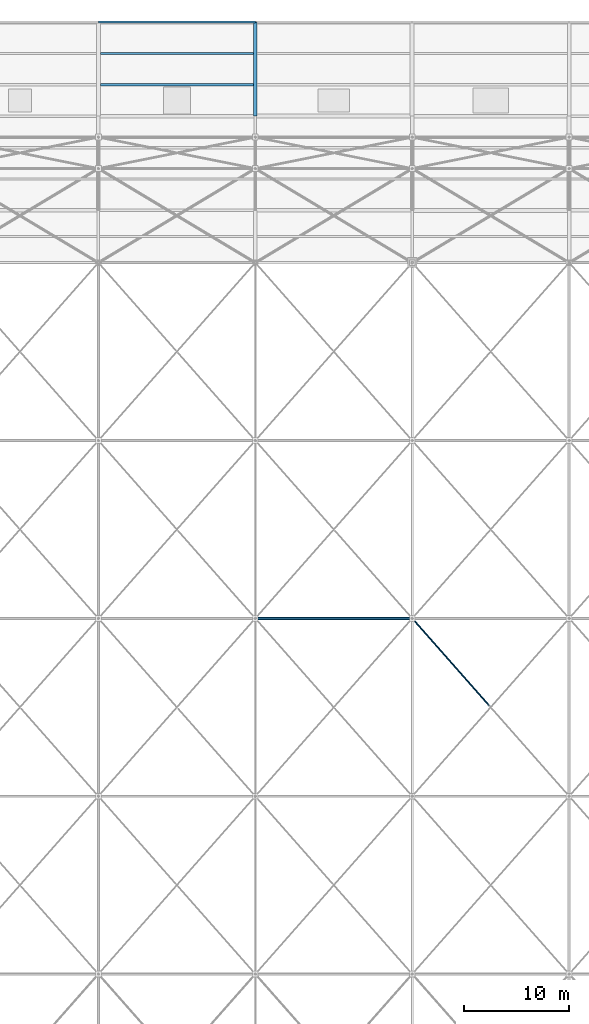
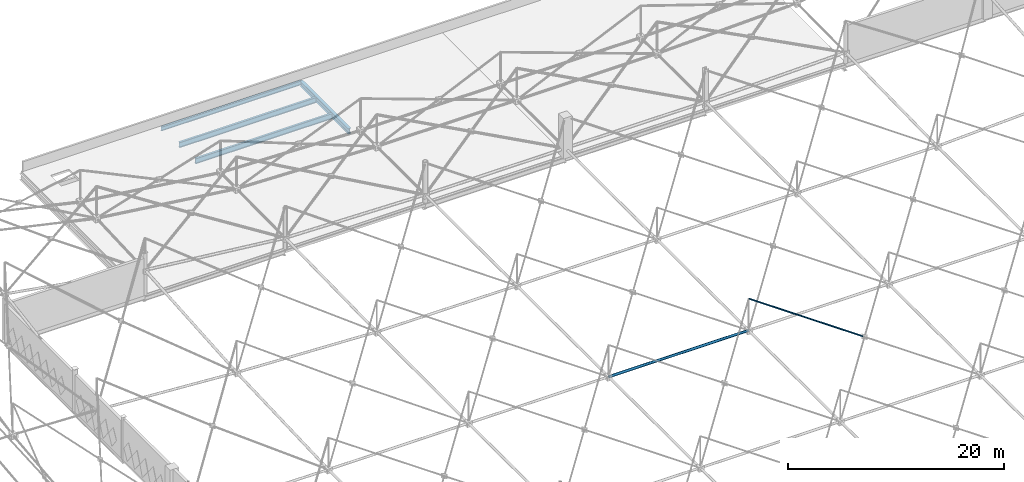
# One storey, part 94 of 224: 4 beams, 2 members.
"""IFC4 building model written with IfcOpenShell, lengths in metres."""

from ifc_helpers import new_model, si_unit, direction, frame, origin, origin_2d, place, context, subcontext, project, spatial, hollow_circle, i_section, extrude, material, material_profile, profile_set, type_object, element, save


model = new_model("IFC4")

# Units and contexts
model_context = context("Model", 3, precision=1e-05, world=origin(), true_north=direction((0.0, 1.0)))
body_context = subcontext(model_context, "Body", "Model", "MODEL_VIEW")
ifc_project = project(units=[si_unit("LENGTHUNIT", "METRE"), si_unit("AREAUNIT", "SQUARE_METRE"), si_unit("VOLUMEUNIT", "CUBIC_METRE"), si_unit("PLANEANGLEUNIT", "RADIAN"), si_unit("MASSUNIT", "GRAM", prefix="KILO")], contexts=[model_context])

# Site, building, storey
site_placement = place(None, origin())
site = spatial("IfcSite", under=ifc_project, at=site_placement, CompositionType="ELEMENT")
building_placement = place(site_placement, origin())
building = spatial("IfcBuilding", under=site, at=building_placement, Name="Qamarlyn Nura Convention Centre", CompositionType="ELEMENT")
storey_placement = place(building_placement, frame((0.0, 0.0, 10.800048828125)))
storey = spatial("IfcBuildingStorey", under=building, at=storey_placement, Name="L02", CompositionType="ELEMENT", Elevation=10.800048828125)

# Beams
ifc_material_1 = material(Name="Steel ASTM A992", Category="steel")
ifc_material_profile_1 = material_profile(ifc_material_1, i_section(OverallWidth=0.323974609375, OverallDepth=0.611083984375, WebThickness=0.0126953125, FlangeThickness=0.01904296875, FilletRadius=0.01611328125, at=origin_2d()), Name="W610X155")
ifc_profile_set_1 = profile_set([ifc_material_profile_1], Name="Steel ASTM A992")
beam_type_1 = type_object("IfcBeamType", Name="BM-GIRD-610", PredefinedType="BEAM", material=ifc_profile_set_1)
beam_1_placement = place(storey_placement, frame((45.0, 117.0, -0.50048828125), z_axis=(0.0, 1.0, 0.0), x_axis=(-1.0, 0.0, 0.0)))
element("IfcBeam", 1, at=beam_1_placement, inside=storey, type_object=beam_type_1, Name="L02 girder 4 P-Q", PredefinedType="BEAM", context=body_context, shape_type="SweptSolid", body=[
    extrude(i_section(OverallWidth=0.323974609375, OverallDepth=0.611083984375, WebThickness=0.0126953125, FlangeThickness=0.01904296875, FilletRadius=0.01611328125, at=origin_2d()), origin(), (0.0, 0.0, 1.0), 9.0),
])
ifc_material_profile_2 = material_profile(ifc_material_1, i_section(OverallWidth=0.22802734375, OverallDepth=0.60791015625, WebThickness=0.01123046875, FlangeThickness=0.017333984375, FilletRadius=0.01611328125, at=origin_2d()), Name="W610X113")
ifc_profile_set_2 = profile_set([ifc_material_profile_2], Name="Steel ASTM A992")
beam_type_2 = type_object("IfcBeamType", Name="BM-JOIST-610", PredefinedType="JOIST", material=ifc_profile_set_2)
for number, where, z_axis, x_axis, name in (
    (2, (30.1904296875, 120.0, -0.4990234375), (1.0, 0.0, 0.0), (0.0, 1.0, 0.0), "L02 composite joist 3-4/P+1"),
    (3, (30.1904296875, 123.0, -0.4990234375), (1.0, 0.0, 0.0), (0.0, 1.0, 0.0), "L02 composite joist 3-4/P+2"),
):
    element("IfcBeam", number, at=place(storey_placement, frame(where, z_axis=z_axis, x_axis=x_axis)), inside=storey, type_object=beam_type_2, Name=name, PredefinedType="JOIST", context=body_context, shape_type="SweptSolid", body=[
        extrude(i_section(OverallWidth=0.22802734375, OverallDepth=0.60791015625, WebThickness=0.01123046875, FlangeThickness=0.017333984375, FilletRadius=0.01611328125, at=origin_2d()), origin(), (0.0, 0.0, 1.0), 14.6474609375),
    ])
ifc_material_profile_3 = material_profile(ifc_material_1, i_section(OverallWidth=0.193115234375, OverallDepth=0.466064453125, WebThickness=0.011474609375, FlangeThickness=0.01904296875, FilletRadius=0.012939453125, at=origin_2d()), Name="W460X97")
ifc_profile_set_3 = profile_set([ifc_material_profile_3], Name="Steel ASTM A992")
beam_type_3 = type_object("IfcBeamType", Name="BM-SPAN-460", PredefinedType="SPANDREL", material=ifc_profile_set_3)
beam_2_placement = place(storey_placement, frame((30.0, 126.0, -0.427978515625), z_axis=(1.0, 0.0, 0.0), x_axis=(0.0, 1.0, 0.0)))
element("IfcBeam", 4, at=beam_2_placement, inside=storey, type_object=beam_type_3, Name="L02 girder Q 3-4", PredefinedType="SPANDREL", context=body_context, shape_type="SweptSolid", body=[
    extrude(i_section(OverallWidth=0.193115234375, OverallDepth=0.466064453125, WebThickness=0.011474609375, FlangeThickness=0.01904296875, FilletRadius=0.012939453125, at=origin_2d()), origin(), (0.0, 0.0, 1.0), 15.0),
])

# Members
ifc_material_2 = material(Name="Pearl-white PVDF steel ASTM A500 Grade C", Category="steel")
ifc_material_profile_4 = material_profile(ifc_material_2, hollow_circle(Radius=0.136474609375, WallThickness=0.012451171875, at=origin_2d()), Name="CHS273X12.5")
ifc_profile_set_4 = profile_set([ifc_material_profile_4], Name="Pearl-white PVDF steel ASTM A500 Grade C")
member_type_1 = type_object("IfcMemberType", Name="SF-BC-MAIN", PredefinedType="CHORD", material=ifc_profile_set_4)
member_1_placement = place(storey_placement, frame((45.0, 69.0, 0.800048828125), z_axis=(1.0, 0.0, 0.0), x_axis=(0.0, 1.0, 0.0)))
element("IfcMember", 5, at=member_1_placement, inside=storey, type_object=member_type_1, Name="ROOF TRUSS space frame bottom chord X5-5", PredefinedType="CHORD", context=body_context, shape_type="SweptSolid", body=[
    extrude(hollow_circle(Radius=0.136474609375, WallThickness=0.012451171875, at=origin_2d()), origin(), (0.0, 0.0, 1.0), 15.0),
])
ifc_material_profile_5 = material_profile(ifc_material_2, hollow_circle(Radius=0.084228515625, WallThickness=0.008056640625, at=origin_2d()), Name="CHS168.3X8")
ifc_profile_set_5 = profile_set([ifc_material_profile_5], Name="Pearl-white PVDF steel ASTM A500 Grade C")
member_type_2 = type_object("IfcMemberType", Name="SF-WEB-STD", PredefinedType="BRACE", material=ifc_profile_set_5)
member_2_placement = place(storey_placement, frame((67.408447265625, 60.603759765625, 2.6220703125), z_axis=(-0.653436826791, 0.740561737029, 0.156807611557), x_axis=(-0.749837855365, -0.661621637087, 0.0)))
element("IfcMember", 6, at=member_2_placement, inside=storey, type_object=member_type_2, Name="ROOF TRUSS space frame split diagonal B2 6-4", PredefinedType="BRACE", context=body_context, shape_type="SweptSolid", body=[
    extrude(hollow_circle(Radius=0.084228515625, WallThickness=0.008056640625, at=origin_2d()), origin(), (0.0, 0.0, 1.0), 11.337646484375),
])

save(model, "model.ifc")
